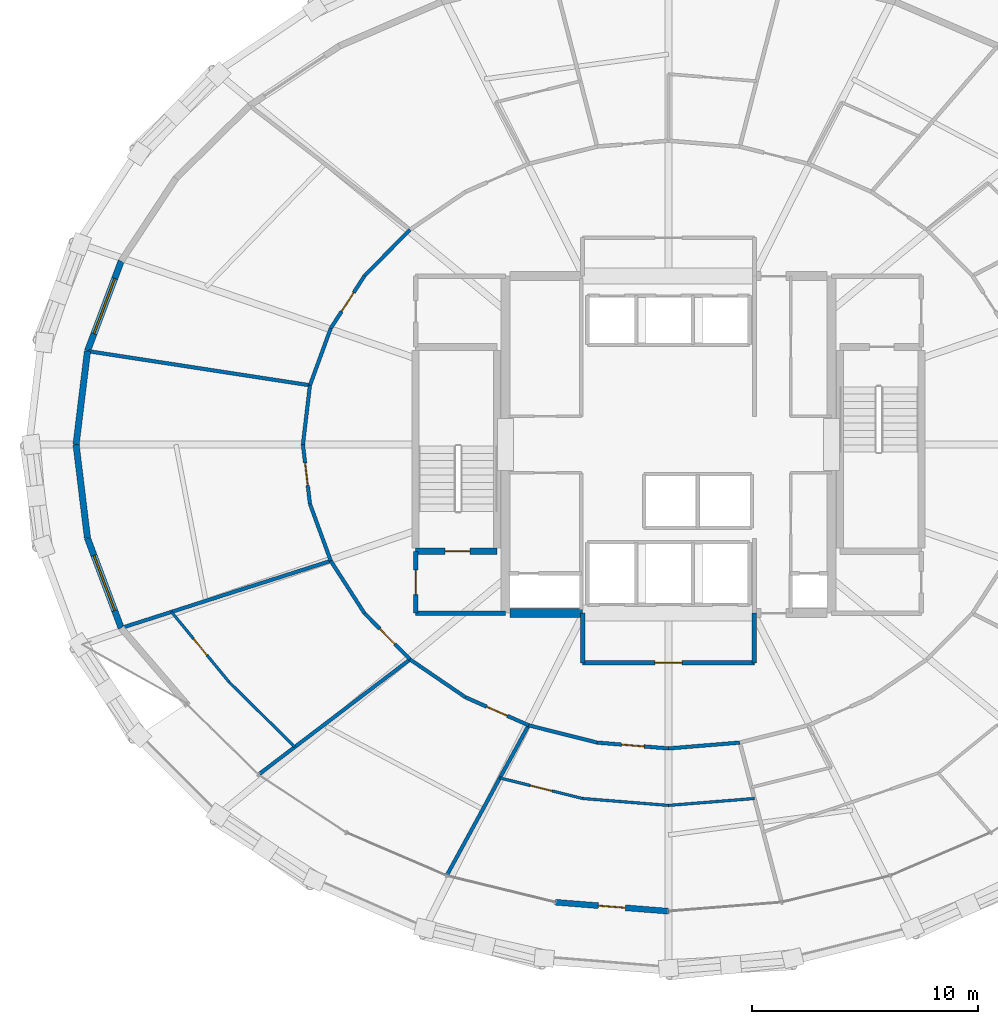
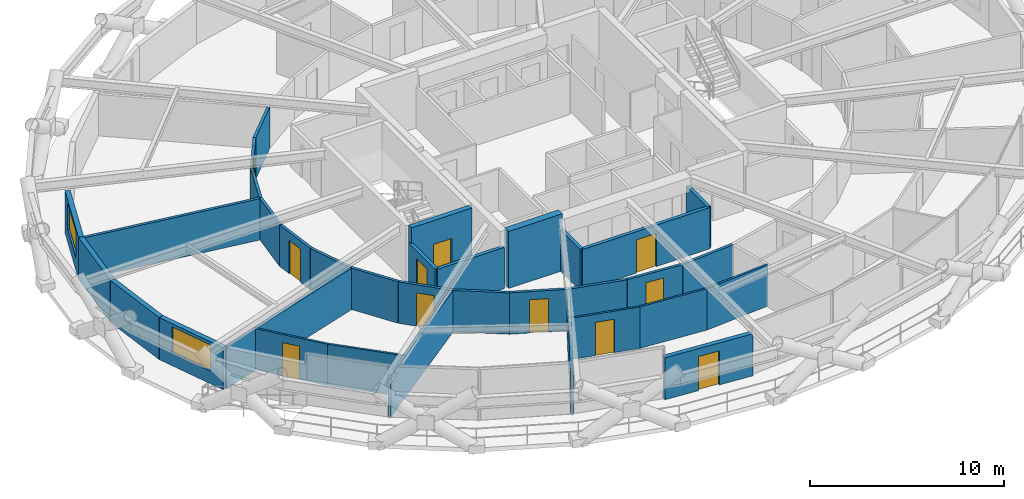
# One storey, part 13 of 19: 34 walls, 11 doors, 2 windows, 13 openings.
"""IFC4 building model written with IfcOpenShell, lengths in metres."""

import ifcopenshell
import ifcopenshell.guid

model = None  # the IFC model being written
_history = None  # IfcOwnerHistory: only IFC2X3 demands one
_inside = {}  # id of a spatial element -> (the spatial element, [elements in it])
_under = {}  # id of a project, library or spatial element -> (it, [spatial elements below it])
_declared = {}  # id of a project -> (the project, [libraries it declares])
_typed = {}  # id of a type object -> (the type object, [elements of that type])
_made_of = {}  # id of a material, layer set ... -> (it, [elements and type objects made of it])


def new_model(schema):
    """Start an empty IFC model of exactly this schema.

    Asked for "IFC4X3", IfcOpenShell would pick the latest addendum, in which some entities
    have other attributes; the version numbers below select the first issue.
    IFC2X3 requires an IfcOwnerHistory on every rooted entity: one is made here for all.
    """
    global model, _history
    if schema == "IFC4X3":
        model = ifcopenshell.file(schema_version=(4, 3, 0, 0))
    else:
        model = ifcopenshell.file(schema=schema)
    _inside.clear()
    _under.clear()
    _declared.clear()
    _typed.clear()
    _made_of.clear()
    _history = None
    if model.schema == "IFC2X3":
        org = make("IfcOrganization", Name="unknown")
        user = make(
            "IfcPersonAndOrganization",
            ThePerson=make("IfcPerson", FamilyName="unknown"),
            TheOrganization=org,
        )
        app = make(
            "IfcApplication",
            ApplicationDeveloper=org,
            Version="unknown",
            ApplicationFullName="unknown",
            ApplicationIdentifier="unknown",
        )
        _history = make(
            "IfcOwnerHistory",
            OwningUser=user,
            OwningApplication=app,
            ChangeAction="ADDED",
            CreationDate=0,
        )
    return model


def make(cls, **values):
    """One entity of the class cls with the attributes given. An attribute that is None is left unset."""
    return model.create_entity(
        cls, **{name: value for name, value in values.items() if value is not None}
    )


def rooted(cls, **values):
    """An entity with a GlobalId (a new one), such as an element, a storey or a relation."""
    return make(cls, GlobalId=ifcopenshell.guid.new(), OwnerHistory=_history, **values)


def si_unit(unit_type, name, prefix=None):
    """IfcSIUnit, for example si_unit("LENGTHUNIT", "METRE", prefix="MILLI")."""
    return make("IfcSIUnit", UnitType=unit_type, Prefix=prefix, Name=name)


def assignment(units):
    """IfcUnitAssignment: the units of a project."""
    return None if units is None else make("IfcUnitAssignment", Units=units)


def point(xyz):
    """IfcCartesianPoint."""
    return None if xyz is None else make("IfcCartesianPoint", Coordinates=xyz)


def direction(xyz):
    """IfcDirection."""
    return None if xyz is None else make("IfcDirection", DirectionRatios=xyz)


def frame(location, z_axis=None, x_axis=None):
    """IfcAxis2Placement3D, a coordinate frame: its origin and axes. An axis left out is left unset."""
    return make(
        "IfcAxis2Placement3D",
        Location=point(location),
        Axis=direction(z_axis),
        RefDirection=direction(x_axis),
    )


def frame_2d(location, x_axis=None):
    """IfcAxis2Placement2D, a coordinate frame in the plane: its origin and x axis."""
    return make(
        "IfcAxis2Placement2D", Location=point(location), RefDirection=direction(x_axis)
    )


def origin():
    """The frame at (0, 0, 0) with its axes left unset."""
    return frame((0.0, 0.0, 0.0))


def place(relative_to, where):
    """IfcLocalPlacement: puts the frame where relative to a parent placement (None: the world)."""
    return make(
        "IfcLocalPlacement", PlacementRelTo=relative_to, RelativePlacement=where
    )


def context(
    kind, dimensions, precision=None, world=None, true_north=None, identifier=None
):
    """IfcGeometricRepresentationContext, for example the 3D "Model" context."""
    return make(
        "IfcGeometricRepresentationContext",
        ContextIdentifier=identifier,
        ContextType=kind,
        CoordinateSpaceDimension=dimensions,
        Precision=precision,
        WorldCoordinateSystem=world,
        TrueNorth=true_north,
    )


def subcontext(parent, identifier, kind, view, scale=None):
    """IfcGeometricRepresentationSubContext, for example "Body" below "Model"."""
    return make(
        "IfcGeometricRepresentationSubContext",
        ContextIdentifier=identifier,
        ContextType=kind,
        ParentContext=parent,
        TargetScale=scale,
        TargetView=view,
    )


def project(units=None, contexts=None):
    """IfcProject with its units and contexts."""
    return rooted(
        "IfcProject",
        Name="project",
        RepresentationContexts=contexts,
        UnitsInContext=assignment(units),
    )


def spatial(cls, under=None, at=None, **own):
    """A site, building, storey or space (cls), placed at a placement, below another one or the project."""
    s = rooted(cls, ObjectPlacement=at, **own)
    if under is not None:
        _under.setdefault(under.id(), (under, []))[1].append(s)
    return s


def profile(cls, at=None, kind="AREA", **sizes):
    """A parametric profile (cls). Its sizes go by their IFC names, for example OverallWidth=200.0."""
    return make(cls, ProfileType=kind, Position=at, **sizes)


def rectangle(**sizes):
    """IfcRectangleProfileDef."""
    return profile("IfcRectangleProfileDef", **sizes)


def extrude(swept, where, along, depth):
    """IfcExtrudedAreaSolid: the profile swept, set in the frame where, extruded along a direction by depth."""
    return make(
        "IfcExtrudedAreaSolid",
        SweptArea=swept,
        Position=where,
        ExtrudedDirection=direction(along),
        Depth=depth,
    )


def shape(context_of_items, identifier, shape_type, items):
    """IfcShapeRepresentation: the items that make up one representation, for example the "Body"."""
    return make(
        "IfcShapeRepresentation",
        ContextOfItems=context_of_items,
        RepresentationIdentifier=identifier,
        RepresentationType=shape_type,
        Items=items,
    )


def material(Name=None, Category=None):
    """IfcMaterial."""
    return make("IfcMaterial", Name=Name, Category=Category)


def layer(
    of_material, thickness, ventilated=None, Name=None, Category=None, Priority=None
):
    """IfcMaterialLayer: one layer of a wall or slab, of a material (None: an air gap)."""
    return make(
        "IfcMaterialLayer",
        Material=of_material,
        LayerThickness=thickness,
        IsVentilated=ventilated,
        Name=Name,
        Category=Category,
        Priority=Priority,
    )


def layer_set(layers, Name=None):
    """IfcMaterialLayerSet."""
    return make("IfcMaterialLayerSet", MaterialLayers=layers, LayerSetName=Name)


def made_of(thing, what):
    """Note that an element or type object is made of a material, layer set ...; save() writes the relation."""
    if what is not None:
        _made_of.setdefault(what.id(), (what, []))[1].append(thing)
    return thing


def type_object(cls, material=None, **own):
    """A type object (cls), such as IfcWallType, which elements share."""
    return made_of(rooted(cls, **own), material)


def element(
    cls,
    number,
    at=None,
    inside=None,
    cuts=None,
    type_object=None,
    material=None,
    context=None,
    identifier="Body",
    shape_type=None,
    held_by="IfcProductDefinitionShape",
    body=None,
    shapes=None,
    **own,
):
    """One element of the class cls, such as IfcWall. Its Tag is "e" and its number.

    at: its placement. inside: the storey or other place that contains it. cuts: it is an
    opening in that element (IfcRelVoidsElement). A single representation is given by context,
    identifier, shape_type and body (its items); several are given by shapes. held_by: the class
    of the entity that holds the representations. save() writes the other relations.
    """
    e = rooted(cls, Tag="e%d" % number, ObjectPlacement=at, **own)
    if body is not None:
        shapes = [shape(context, identifier, shape_type, body)]
    if shapes is not None:
        e.Representation = make(held_by, Representations=shapes)
    if inside is not None:
        _inside.setdefault(inside.id(), (inside, []))[1].append(e)
    if cuts is not None:
        rooted(
            "IfcRelVoidsElement", RelatingBuildingElement=cuts, RelatedOpeningElement=e
        )
    if type_object is not None:
        _typed.setdefault(type_object.id(), (type_object, []))[1].append(e)
    return made_of(e, material)


def fill(opening, filler):
    """IfcRelFillsElement: the door or window that sits in an opening."""
    return rooted(
        "IfcRelFillsElement",
        RelatingOpeningElement=opening,
        RelatedBuildingElement=filler,
    )


def aggregate(whole, parts):
    """IfcRelAggregates: a whole, such as a stair, and the parts it consists of."""
    return rooted("IfcRelAggregates", RelatingObject=whole, RelatedObjects=parts)


def save(model, path):
    """Write the relations noted so far, then the file.

    IfcRelAggregates (storeys below a building ...), IfcRelContainedInSpatialStructure (elements
    in a storey), IfcRelDefinesByType, IfcRelAssociatesMaterial and IfcRelDeclares: one each for
    every whole, place, type object, material and project.
    """
    for whole, parts in _under.values():
        aggregate(whole, parts)
    for where, things in _inside.values():
        rooted(
            "IfcRelContainedInSpatialStructure",
            RelatedElements=things,
            RelatingStructure=where,
        )
    for kind, things in _typed.values():
        rooted("IfcRelDefinesByType", RelatedObjects=things, RelatingType=kind)
    for what, things in _made_of.values():
        rooted("IfcRelAssociatesMaterial", RelatedObjects=things, RelatingMaterial=what)
    for by, libraries in _declared.values():
        rooted("IfcRelDeclares", RelatingContext=by, RelatedDefinitions=libraries)
    model.write(path)


model = new_model("IFC4")

# Units and contexts
model_context = context("Model", 3, precision=1e-05, world=origin(), true_north=direction((0.0, 1.0)))
body_context = subcontext(model_context, "Body", "Model", "MODEL_VIEW")
ifc_project = project(units=[si_unit("LENGTHUNIT", "METRE"), si_unit("AREAUNIT", "SQUARE_METRE"), si_unit("VOLUMEUNIT", "CUBIC_METRE"), si_unit("PLANEANGLEUNIT", "RADIAN"), si_unit("MASSUNIT", "GRAM", prefix="KILO")], contexts=[model_context])

# Site, building, storey
site_placement = place(None, origin())
site = spatial("IfcSite", under=ifc_project, at=site_placement, CompositionType="ELEMENT")
building_placement = place(site_placement, origin())
building = spatial("IfcBuilding", under=site, at=building_placement, Name="Veldorina Hangang Commons", CompositionType="ELEMENT")
storey_placement = place(building_placement, frame((0.0, 0.0, 44.800048828125)))
storey = spatial("IfcBuildingStorey", under=building, at=storey_placement, Name="L10", CompositionType="ELEMENT", Elevation=44.800048828125)

# Wall
ifc_material_1 = material(Name="Concrete C70/85", Category="concrete")
ifc_layer_1 = layer(ifc_material_1, 0.39990234375)
ifc_layer_set_1 = layer_set([ifc_layer_1], Name="Concrete C70/85")
wall_type_1 = type_object("IfcWallType", Name="CW-RC400-C70", PredefinedType="SHEAR", material=ifc_layer_set_1)
wall_1_placement = place(storey_placement, frame((25.0, 16.550048828125, 0.0), z_axis=(0.0, 0.0, 1.0), x_axis=(1.0, 0.0, 0.0)))
element("IfcWall", 1, at=wall_1_placement, inside=storey, type_object=wall_type_1, Name="L10 south-west core shear wall", PredefinedType="SHEAR", context=body_context, shape_type="SweptSolid", body=[
    extrude(rectangle(XDim=3.199951171875, YDim=0.39990234375, at=frame_2d((1.60009765625, 0.0))), origin(), (0.0, 0.0, 1.0), 3.599853515625),
])

# Wall, opening, door
ifc_material_2 = material(Name="Stone Roman Travertine", Category="masonry")
ifc_layer_2 = layer(ifc_material_2, 0.260009765625)
ifc_layer_set_2 = layer_set([ifc_layer_2], Name="Stone Roman Travertine")
wall_type_2 = type_object("IfcWallType", Name="EW-LOGGIA-260", PredefinedType="STANDARD", material=ifc_layer_set_2)
wall_2_placement = place(storey_placement, frame((26.999755859375, 3.765625, 0.0), z_axis=(0.0, 0.0, 1.0), x_axis=(0.996871056752, -0.079044899964, 0.0)))
wall_2 = element("IfcWall", 2, at=wall_2_placement, inside=storey, type_object=wall_type_2, Name="L10 sky-garden loggia portal wall 23", PredefinedType="STANDARD", context=body_context, shape_type="SweptSolid", body=[
    extrude(rectangle(XDim=5.015869140625, YDim=0.260009765625, at=frame_2d((2.5078125, 0.0))), origin(), (0.0, 0.0, 1.0), 2.64990234375),
])
opening_1_placement = place(wall_2_placement, frame((1.907958984375, 0.0, 0.0)))
opening_1 = element("IfcOpeningElement", 3, at=opening_1_placement, cuts=wall_2, Name="Opening BD-1200", PredefinedType="OPENING", context=body_context, shape_type="SweptSolid", body=[
    extrude(rectangle(XDim=1.199951171875, YDim=2.14990234375, at=frame_2d((0.60009765625, 1.074951171875))), frame((0.0, 0.14013671875, 0.0), z_axis=(0.0, -1.0, 0.0), x_axis=(1.0, 0.0, 0.0)), (0.0, 0.0, 1.0), 0.280029296875),
])
ifc_material_3 = material(Name="Glass Thermal Aluminium Frame", Category="aluminium")
door_type_1 = type_object("IfcDoorType", Name="DR-EXT-LOG1200", OperationType="SINGLE_SWING_LEFT", PredefinedType="DOOR", material=ifc_material_3)
door_1_placement = place(opening_1_placement, origin())
door_1 = element("IfcDoor", 4, at=door_1_placement, inside=storey, type_object=door_type_1, Name="L10 loggia glazed exterior door 23", OperationType="SINGLE_SWING_RIGHT", OverallHeight=2.14990234375, OverallWidth=1.199951171875, PredefinedType="DOOR", context=body_context, shape_type="SweptSolid", body=[
    extrude(rectangle(XDim=1.199951171875, YDim=2.14990234375, at=frame_2d((0.60009765625, 1.074951171875))), frame((0.0, 0.02490234375, 0.0), z_axis=(0.0, -1.0, 0.0), x_axis=(1.0, 0.0, 0.0)), (0.0, 0.0, 1.0), 0.050048828125),
])
fill(opening_1, door_1)

# Wall, opening, window
ifc_layer_3 = layer(ifc_material_2, 0.280029296875)
ifc_layer_set_3 = layer_set([ifc_layer_3], Name="Stone Roman Travertine")
wall_type_3 = type_object("IfcWallType", Name="EW-TRAV-280", PredefinedType="STANDARD", material=ifc_layer_set_3)
wall_3_placement = place(storey_placement, frame((7.802978515625, 32.109375, 0.0), z_axis=(0.0, 0.0, 1.0), x_axis=(-0.351066723894, -0.936350444745, 0.0)))
wall_3 = element("IfcWall", 5, at=wall_3_placement, inside=storey, type_object=wall_type_3, Name="L10 travertine facade wall 14", PredefinedType="STANDARD", context=body_context, shape_type="SweptSolid", body=[
    extrude(rectangle(XDim=4.24560546875, YDim=0.280029296875, at=frame_2d((2.122802734375, 0.0))), origin(), (0.0, 0.0, 1.0), 2.64990234375),
])
opening_2_placement = place(wall_3_placement, frame((0.82275390625, 0.0, 0.800048828125)))
opening_2 = element("IfcOpeningElement", 6, at=opening_2_placement, cuts=wall_3, Name="Opening W-02", PredefinedType="OPENING", context=body_context, shape_type="SweptSolid", body=[
    extrude(rectangle(XDim=2.60009765625, YDim=1.64990234375, at=frame_2d((1.300048828125, 0.824951171875))), frame((0.0, 0.14990234375, 0.0), z_axis=(0.0, -1.0, 0.0), x_axis=(1.0, 0.0, 0.0)), (0.0, 0.0, 1.0), 0.300048828125),
])
ifc_material_4 = material(Name="Glass Low-E Triple IGU", Category="glass")
window_type = type_object("IfcWindowType", Name="WIN-TWR-2600", PartitioningType="SINGLE_PANEL", PredefinedType="WINDOW", material=ifc_material_4)
window_1_placement = place(opening_2_placement, origin())
window_1 = element("IfcWindow", 7, at=window_1_placement, inside=storey, type_object=window_type, Name="L10 facade window 14", OverallHeight=1.64990234375, OverallWidth=2.60009765625, PartitioningType="SINGLE_PANEL", PredefinedType="WINDOW", context=body_context, shape_type="SweptSolid", body=[
    extrude(rectangle(XDim=2.60009765625, YDim=1.64990234375, at=frame_2d((1.300048828125, 0.824951171875))), frame((0.0, 0.030029296875, 0.0), z_axis=(0.0, -1.0, 0.0), x_axis=(1.0, 0.0, 0.0)), (0.0, 0.0, 1.0), 0.06005859375),
])
fill(opening_2, window_1)

# Walls
for number, where, z_axis, x_axis, name in (
    (8, (6.3125, 28.134033203125, 0.0), (0.0, 0.0, 1.0), (-0.120881081027, -0.992666995648, 0.0), "L10 travertine facade wall 15"),
    (9, (5.80908203125, 24.0, 0.0), (0.0, 0.0, 1.0), (0.120881081027, -0.992666995648, 0.0), "L10 travertine facade wall 16"),
):
    element("IfcWall", number, at=place(storey_placement, frame(where, z_axis=z_axis, x_axis=x_axis)), inside=storey, type_object=wall_type_3, Name=name, PredefinedType="STANDARD", context=body_context, shape_type="SweptSolid", body=[
        extrude(rectangle(XDim=4.16455078125, YDim=0.280029296875, at=frame_2d((2.082275390625, 0.0))), origin(), (0.0, 0.0, 1.0), 2.64990234375),
    ])

# Wall, opening, window
wall_4_placement = place(storey_placement, frame((6.3125, 19.865966796875, 0.0), z_axis=(0.0, 0.0, 1.0), x_axis=(0.351066723894, -0.936350444745, 0.0)))
wall_4 = element("IfcWall", 10, at=wall_4_placement, inside=storey, type_object=wall_type_3, Name="L10 travertine facade wall 17", PredefinedType="STANDARD", context=body_context, shape_type="SweptSolid", body=[
    extrude(rectangle(XDim=4.24560546875, YDim=0.280029296875, at=frame_2d((2.122802734375, 0.0))), origin(), (0.0, 0.0, 1.0), 2.64990234375),
])
opening_3_placement = place(wall_4_placement, frame((0.82275390625, 0.0, 0.800048828125)))
opening_3 = element("IfcOpeningElement", 11, at=opening_3_placement, cuts=wall_4, Name="Opening W-02", PredefinedType="OPENING", context=body_context, shape_type="SweptSolid", body=[
    extrude(rectangle(XDim=2.60009765625, YDim=1.64990234375, at=frame_2d((1.300048828125, 0.824951171875))), frame((0.0, 0.14990234375, 0.0), z_axis=(0.0, -1.0, 0.0), x_axis=(1.0, 0.0, 0.0)), (0.0, 0.0, 1.0), 0.300048828125),
])
window_2_placement = place(opening_3_placement, origin())
window_2 = element("IfcWindow", 12, at=window_2_placement, inside=storey, type_object=window_type, Name="L10 facade window 17", OverallHeight=1.64990234375, OverallWidth=2.60009765625, PartitioningType="SINGLE_PANEL", PredefinedType="WINDOW", context=body_context, shape_type="SweptSolid", body=[
    extrude(rectangle(XDim=2.60009765625, YDim=1.64990234375, at=frame_2d((1.300048828125, 0.824951171875))), frame((0.0, 0.030029296875, 0.0), z_axis=(0.0, -1.0, 0.0), x_axis=(1.0, 0.0, 0.0)), (0.0, 0.0, 1.0), 0.06005859375),
])
fill(opening_3, window_2)

# Wall, opening, door
ifc_material_5 = material(Name="Concrete C50/60", Category="concrete")
ifc_layer_4 = layer(ifc_material_5, 0.300048828125)
ifc_layer_set_4 = layer_set([ifc_layer_4], Name="Concrete C50/60")
wall_type_4 = type_object("IfcWallType", Name="SW-STAIR-300", PredefinedType="SHEAR", material=ifc_layer_set_4)
wall_5_placement = place(storey_placement, frame((20.820068359375, 19.280029296875, 0.0), z_axis=(0.0, 0.0, 1.0), x_axis=(1.0, 0.0, 0.0)))
wall_5 = element("IfcWall", 13, at=wall_5_placement, inside=storey, type_object=wall_type_4, Name="L10 ST1 south stair shear wall", PredefinedType="SHEAR", context=body_context, shape_type="SweptSolid", body=[
    extrude(rectangle(XDim=3.599853515625, YDim=0.300048828125, at=frame_2d((1.7998046875, 0.0))), origin(), (0.0, 0.0, 1.0), 3.599853515625),
])
opening_4_placement = place(wall_5_placement, frame((1.300048828125, 0.0, 0.0)))
opening_4 = element("IfcOpeningElement", 14, at=opening_4_placement, cuts=wall_5, Name="Opening D-08", PredefinedType="OPENING", context=body_context, shape_type="SweptSolid", body=[
    extrude(rectangle(XDim=1.10009765625, YDim=2.10009765625, at=frame_2d((0.550048828125, 1.050048828125))), frame((0.0, 0.16015625, 0.0), z_axis=(0.0, -1.0, 0.0), x_axis=(1.0, 0.0, 0.0)), (0.0, 0.0, 1.0), 0.320068359375),
])
ifc_material_6 = material(Name="Steel Fire-Rated Smoke Seal", Category="steel")
door_type_2 = type_object("IfcDoorType", Name="DR-FIRE-1100", OperationType="SINGLE_SWING_RIGHT", PredefinedType="DOOR", material=ifc_material_6)
door_2_placement = place(opening_4_placement, origin())
door_2 = element("IfcDoor", 15, at=door_2_placement, inside=storey, type_object=door_type_2, Name="L10 Special Escape Stair ST-1 door", OperationType="SINGLE_SWING_LEFT", OverallHeight=2.10009765625, OverallWidth=1.10009765625, PredefinedType="DOOR", context=body_context, shape_type="SweptSolid", body=[
    extrude(rectangle(XDim=1.10009765625, YDim=2.10009765625, at=frame_2d((0.550048828125, 1.050048828125))), frame((0.0, 0.02490234375, 0.0), z_axis=(0.0, -1.0, 0.0), x_axis=(1.0, 0.0, 0.0)), (0.0, 0.0, 1.0), 0.050048828125),
])
fill(opening_4, door_2)

# Wall
ifc_material_7 = material(Name="Gypsum Fire-Rated Twin Stud Wall", Category="gypsum")
ifc_layer_5 = layer(ifc_material_7, 0.159912109375)
ifc_layer_set_5 = layer_set([ifc_layer_5], Name="Gypsum Fire-Rated Twin Stud Wall")
wall_type_5 = type_object("IfcWallType", Name="WL-FIRE-160", PredefinedType="SOLIDWALL", material=ifc_layer_set_5)
wall_6_placement = place(storey_placement, frame((20.57177734375, 33.499267578125, 0.0), z_axis=(0.0, 0.0, 1.0), x_axis=(-0.702569520063, -0.711615113301, 0.0)))
element("IfcWall", 16, at=wall_6_placement, inside=storey, type_object=wall_type_5, Name="L10 Corridor outer wall 12 057", PredefinedType="SOLIDWALL", context=body_context, shape_type="SweptSolid", body=[
    extrude(rectangle(XDim=2.86083984375, YDim=0.159912109375, at=frame_2d((1.430419921875, 0.0))), origin(), (0.0, 0.0, 1.0), 2.60986328125),
])

# Wall, opening, door
wall_7_placement = place(storey_placement, frame((18.561767578125, 31.46337890625, 0.0), z_axis=(0.0, 0.0, 1.0), x_axis=(-0.540891657444, -0.841092274907, 0.0)))
wall_7 = element("IfcWall", 17, at=wall_7_placement, inside=storey, type_object=wall_type_5, Name="L10 Corridor outer wall 13 058", PredefinedType="SOLIDWALL", context=body_context, shape_type="SweptSolid", body=[
    extrude(rectangle(XDim=2.760986328125, YDim=0.159912109375, at=frame_2d((1.38037109375, 0.0))), origin(), (0.0, 0.0, 1.0), 2.60986328125),
])
opening_5_placement = place(wall_7_placement, frame((0.880615234375, 0.0, 0.0)))
opening_5 = element("IfcOpeningElement", 18, at=opening_5_placement, cuts=wall_7, Name="Opening D-05", PredefinedType="OPENING", context=body_context, shape_type="SweptSolid", body=[
    extrude(rectangle(XDim=1.0, YDim=2.10009765625, at=frame_2d((0.5, 1.050048828125))), frame((0.0, 0.08984375, 0.0), z_axis=(0.0, -1.0, 0.0), x_axis=(1.0, 0.0, 0.0)), (0.0, 0.0, 1.0), 0.179931640625),
])
ifc_material_8 = material(Name="Timber Solid Core Acoustic", Category="wood")
door_type_3 = type_object("IfcDoorType", Name="DR-INT-1000", OperationType="SINGLE_SWING_RIGHT", PredefinedType="DOOR", material=ifc_material_8)
door_3_placement = place(opening_5_placement, origin())
door_3 = element("IfcDoor", 19, at=door_3_placement, inside=storey, type_object=door_type_3, Name="L10 Floor Study Room 10 door 039", OperationType="SINGLE_SWING_LEFT", OverallHeight=2.10009765625, OverallWidth=1.0, PredefinedType="DOOR", context=body_context, shape_type="SweptSolid", body=[
    extrude(rectangle(XDim=1.0, YDim=2.10009765625, at=frame_2d((0.5, 1.050048828125))), frame((0.0, 0.02490234375, 0.0), z_axis=(0.0, -1.0, 0.0), x_axis=(1.0, 0.0, 0.0)), (0.0, 0.0, 1.0), 0.050048828125),
])
fill(opening_5, door_3)

# Walls
wall_8_placement = place(storey_placement, frame((17.068359375, 29.14111328125, 0.0), z_axis=(0.0, 0.0, 1.0), x_axis=(-0.342882618672, -0.939378257047, 0.0)))
element("IfcWall", 20, at=wall_8_placement, inside=storey, type_object=wall_type_5, Name="L10 Corridor outer wall 14 059", PredefinedType="SOLIDWALL", context=body_context, shape_type="SweptSolid", body=[
    extrude(rectangle(XDim=2.682861328125, YDim=0.159912109375, at=frame_2d((1.34130859375, 0.0))), origin(), (0.0, 0.0, 1.0), 2.60986328125),
])
wall_9_placement = place(storey_placement, frame((16.1484375, 26.620849609375, 0.0), z_axis=(0.0, 0.0, 1.0), x_axis=(-0.117667763342, -0.993053018459, 0.0)))
element("IfcWall", 21, at=wall_9_placement, inside=storey, type_object=wall_type_5, Name="L10 Corridor outer wall 15 060", PredefinedType="SOLIDWALL", context=body_context, shape_type="SweptSolid", body=[
    extrude(rectangle(XDim=2.63916015625, YDim=0.159912109375, at=frame_2d((1.319580078125, 0.0))), origin(), (0.0, 0.0, 1.0), 2.60986328125),
])

# Wall, opening, door
wall_10_placement = place(storey_placement, frame((15.837890625, 24.0, 0.0), z_axis=(0.0, 0.0, 1.0), x_axis=(0.117667763342, -0.993053018459, 0.0)))
wall_10 = element("IfcWall", 22, at=wall_10_placement, inside=storey, type_object=wall_type_5, Name="L10 Corridor outer wall 16 061", PredefinedType="SOLIDWALL", context=body_context, shape_type="SweptSolid", body=[
    extrude(rectangle(XDim=2.63916015625, YDim=0.159912109375, at=frame_2d((1.319580078125, 0.0))), origin(), (0.0, 0.0, 1.0), 2.60986328125),
])
opening_6_placement = place(wall_10_placement, frame((0.819580078125, 0.0, 0.0)))
opening_6 = element("IfcOpeningElement", 23, at=opening_6_placement, cuts=wall_10, Name="Opening D-05", PredefinedType="OPENING", context=body_context, shape_type="SweptSolid", body=[
    extrude(rectangle(XDim=1.0, YDim=2.10009765625, at=frame_2d((0.5, 1.050048828125))), frame((0.0, 0.08984375, 0.0), z_axis=(0.0, -1.0, 0.0), x_axis=(1.0, 0.0, 0.0)), (0.0, 0.0, 1.0), 0.179931640625),
])
door_4_placement = place(opening_6_placement, origin())
door_4 = element("IfcDoor", 24, at=door_4_placement, inside=storey, type_object=door_type_3, Name="L10 Floor Study Room 11 door 040", OperationType="SINGLE_SWING_RIGHT", OverallHeight=2.10009765625, OverallWidth=1.0, PredefinedType="DOOR", context=body_context, shape_type="SweptSolid", body=[
    extrude(rectangle(XDim=1.0, YDim=2.10009765625, at=frame_2d((0.5, 1.050048828125))), frame((0.0, 0.02490234375, 0.0), z_axis=(0.0, -1.0, 0.0), x_axis=(1.0, 0.0, 0.0)), (0.0, 0.0, 1.0), 0.050048828125),
])
fill(opening_6, door_4)

# Walls
wall_11_placement = place(storey_placement, frame((16.1484375, 21.379150390625, 0.0), z_axis=(0.0, 0.0, 1.0), x_axis=(0.342882618672, -0.939378257047, 0.0)))
element("IfcWall", 25, at=wall_11_placement, inside=storey, type_object=wall_type_5, Name="L10 Corridor outer wall 17 062", PredefinedType="SOLIDWALL", context=body_context, shape_type="SweptSolid", body=[
    extrude(rectangle(XDim=2.682861328125, YDim=0.159912109375, at=frame_2d((1.34130859375, 0.0))), origin(), (0.0, 0.0, 1.0), 2.60986328125),
])
wall_12_placement = place(storey_placement, frame((17.068359375, 18.85888671875, 0.0), z_axis=(0.0, 0.0, 1.0), x_axis=(0.540891657444, -0.841092274907, 0.0)))
element("IfcWall", 26, at=wall_12_placement, inside=storey, type_object=wall_type_5, Name="L10 Corridor outer wall 18 063", PredefinedType="SOLIDWALL", context=body_context, shape_type="SweptSolid", body=[
    extrude(rectangle(XDim=2.760986328125, YDim=0.159912109375, at=frame_2d((1.38037109375, 0.0))), origin(), (0.0, 0.0, 1.0), 2.60986328125),
])

# Wall, opening, door
wall_13_placement = place(storey_placement, frame((18.561767578125, 16.53662109375, 0.0), z_axis=(0.0, 0.0, 1.0), x_axis=(0.702569520063, -0.711615113301, 0.0)))
wall_13 = element("IfcWall", 27, at=wall_13_placement, inside=storey, type_object=wall_type_5, Name="L10 Corridor outer wall 19 064", PredefinedType="SOLIDWALL", context=body_context, shape_type="SweptSolid", body=[
    extrude(rectangle(XDim=2.86083984375, YDim=0.159912109375, at=frame_2d((1.430419921875, 0.0))), origin(), (0.0, 0.0, 1.0), 2.60986328125),
])
opening_7_placement = place(wall_13_placement, frame((0.955322265625, 0.0, 0.0)))
opening_7 = element("IfcOpeningElement", 28, at=opening_7_placement, cuts=wall_13, Name="Opening D-02", PredefinedType="OPENING", context=body_context, shape_type="SweptSolid", body=[
    extrude(rectangle(XDim=0.949951171875, YDim=2.10009765625, at=frame_2d((0.47509765625, 1.050048828125))), frame((0.0, 0.08984375, 0.0), z_axis=(0.0, -1.0, 0.0), x_axis=(1.0, 0.0, 0.0)), (0.0, 0.0, 1.0), 0.179931640625),
])
door_type_4 = type_object("IfcDoorType", Name="DR-INT-950", OperationType="SINGLE_SWING_LEFT", PredefinedType="DOOR", material=ifc_material_8)
door_5_placement = place(opening_7_placement, origin())
door_5 = element("IfcDoor", 29, at=door_5_placement, inside=storey, type_object=door_type_4, Name="L10 Linen drying store door 041", OperationType="SINGLE_SWING_LEFT", OverallHeight=2.10009765625, OverallWidth=0.949951171875, PredefinedType="DOOR", context=body_context, shape_type="SweptSolid", body=[
    extrude(rectangle(XDim=0.949951171875, YDim=2.10009765625, at=frame_2d((0.47509765625, 1.050048828125))), frame((0.0, 0.02490234375, 0.0), z_axis=(0.0, -1.0, 0.0), x_axis=(1.0, 0.0, 0.0)), (0.0, 0.0, 1.0), 0.050048828125),
])
fill(opening_7, door_5)

# Wall
wall_14_placement = place(storey_placement, frame((20.57177734375, 14.500732421875, 0.0), z_axis=(0.0, 0.0, 1.0), x_axis=(0.826112340767, -0.563505457323, 0.0)))
element("IfcWall", 30, at=wall_14_placement, inside=storey, type_object=wall_type_5, Name="L10 Corridor outer wall 20 065", PredefinedType="SOLIDWALL", context=body_context, shape_type="SweptSolid", body=[
    extrude(rectangle(XDim=2.96484375, YDim=0.159912109375, at=frame_2d((1.482421875, 0.0))), origin(), (0.0, 0.0, 1.0), 2.60986328125),
])

# Wall, opening, door
wall_15_placement = place(storey_placement, frame((23.02099609375, 12.830078125, 0.0), z_axis=(0.0, 0.0, 1.0), x_axis=(0.913860932409, -0.406027334321, 0.0)))
wall_15 = element("IfcWall", 31, at=wall_15_placement, inside=storey, type_object=wall_type_5, Name="L10 Corridor outer wall 21 066", PredefinedType="SOLIDWALL", context=body_context, shape_type="SweptSolid", body=[
    extrude(rectangle(XDim=3.0576171875, YDim=0.159912109375, at=frame_2d((1.52880859375, 0.0))), origin(), (0.0, 0.0, 1.0), 2.60986328125),
])
opening_8_placement = place(wall_15_placement, frame((1.02880859375, 0.0, 0.0)))
opening_8 = element("IfcOpeningElement", 32, at=opening_8_placement, cuts=wall_15, Name="Opening D-05", PredefinedType="OPENING", context=body_context, shape_type="SweptSolid", body=[
    extrude(rectangle(XDim=1.0, YDim=2.10009765625, at=frame_2d((0.5, 1.050048828125))), frame((0.0, 0.08984375, 0.0), z_axis=(0.0, -1.0, 0.0), x_axis=(1.0, 0.0, 0.0)), (0.0, 0.0, 1.0), 0.179931640625),
])
door_6_placement = place(opening_8_placement, origin())
door_6 = element("IfcDoor", 33, at=door_6_placement, inside=storey, type_object=door_type_3, Name="L10 Seminar Focus Room 13 door 043", OperationType="SINGLE_SWING_LEFT", OverallHeight=2.10009765625, OverallWidth=1.0, PredefinedType="DOOR", context=body_context, shape_type="SweptSolid", body=[
    extrude(rectangle(XDim=1.0, YDim=2.10009765625, at=frame_2d((0.5, 1.050048828125))), frame((0.0, 0.02490234375, 0.0), z_axis=(0.0, -1.0, 0.0), x_axis=(1.0, 0.0, 0.0)), (0.0, 0.0, 1.0), 0.050048828125),
])
fill(opening_8, door_6)

# Wall
wall_16_placement = place(storey_placement, frame((25.815185546875, 11.588623046875, 0.0), z_axis=(0.0, 0.0, 1.0), x_axis=(0.969653665365, -0.244482656326, 0.0)))
element("IfcWall", 34, at=wall_16_placement, inside=storey, type_object=wall_type_5, Name="L10 Corridor outer wall 22 067", PredefinedType="SOLIDWALL", context=body_context, shape_type="SweptSolid", body=[
    extrude(rectangle(XDim=3.126708984375, YDim=0.159912109375, at=frame_2d((1.5634765625, 0.0))), origin(), (0.0, 0.0, 1.0), 2.60986328125),
])

# Wall, opening, door
wall_17_placement = place(storey_placement, frame((28.846923828125, 10.82421875, 0.0), z_axis=(0.0, 0.0, 1.0), x_axis=(0.996661331307, -0.081646743207, 0.0)))
wall_17 = element("IfcWall", 35, at=wall_17_placement, inside=storey, type_object=wall_type_5, Name="L10 Corridor outer wall 23 068", PredefinedType="SOLIDWALL", context=body_context, shape_type="SweptSolid", body=[
    extrude(rectangle(XDim=3.16357421875, YDim=0.159912109375, at=frame_2d((1.581787109375, 0.0))), origin(), (0.0, 0.0, 1.0), 2.60986328125),
])
opening_9_placement = place(wall_17_placement, frame((1.081787109375, 0.0, 0.0)))
opening_9 = element("IfcOpeningElement", 36, at=opening_9_placement, cuts=wall_17, Name="Opening D-05", PredefinedType="OPENING", context=body_context, shape_type="SweptSolid", body=[
    extrude(rectangle(XDim=1.0, YDim=2.10009765625, at=frame_2d((0.5, 1.050048828125))), frame((0.0, 0.08984375, 0.0), z_axis=(0.0, -1.0, 0.0), x_axis=(1.0, 0.0, 0.0)), (0.0, 0.0, 1.0), 0.179931640625),
])
door_7_placement = place(opening_9_placement, origin())
door_7 = element("IfcDoor", 37, at=door_7_placement, inside=storey, type_object=door_type_3, Name="L10 Commons alcove door 019", OperationType="SINGLE_SWING_LEFT", OverallHeight=2.10009765625, OverallWidth=1.0, PredefinedType="DOOR", context=body_context, shape_type="SweptSolid", body=[
    extrude(rectangle(XDim=1.0, YDim=2.10009765625, at=frame_2d((0.5, 1.050048828125))), frame((0.0, 0.02490234375, 0.0), z_axis=(0.0, -1.0, 0.0), x_axis=(1.0, 0.0, 0.0)), (0.0, 0.0, 1.0), 0.050048828125),
])
fill(opening_9, door_7)

# Walls
wall_18_placement = place(storey_placement, frame((32.0, 10.56591796875, 0.0), z_axis=(0.0, 0.0, 1.0), x_axis=(0.996661331307, 0.081646743207, 0.0)))
element("IfcWall", 38, at=wall_18_placement, inside=storey, type_object=wall_type_5, Name="L10 Corridor outer wall 24 069", PredefinedType="SOLIDWALL", context=body_context, shape_type="SweptSolid", body=[
    extrude(rectangle(XDim=3.16357421875, YDim=0.159912109375, at=frame_2d((1.581787109375, 0.0))), origin(), (0.0, 0.0, 1.0), 2.60986328125),
])
wall_19_placement = place(storey_placement, frame((25.815185546875, 11.588623046875, 0.0), z_axis=(0.0, 0.0, 1.0), x_axis=(-0.478545125054, -0.87806296089, 0.0)))
element("IfcWall", 39, at=wall_19_placement, inside=storey, type_object=wall_type_5, Name="L10 Unit party wall 22 077", PredefinedType="SOLIDWALL", context=body_context, shape_type="SweptSolid", body=[
    extrude(rectangle(XDim=7.5224609375, YDim=0.159912109375, at=frame_2d((3.76123046875, 0.0))), origin(), (0.0, 0.0, 1.0), 2.60986328125),
])
wall_20_placement = place(storey_placement, frame((16.1484375, 26.620849609375, 0.0), z_axis=(0.0, 0.0, 1.0), x_axis=(-0.988371982693, 0.152055331469, 0.0)))
element("IfcWall", 40, at=wall_20_placement, inside=storey, type_object=wall_type_5, Name="L10 Unit party wall 15 109", PredefinedType="SOLIDWALL", context=body_context, shape_type="SweptSolid", body=[
    extrude(rectangle(XDim=9.90185546875, YDim=0.159912109375, at=frame_2d((4.950927734375, 0.0))), origin(), (0.0, 0.0, 1.0), 2.60986328125),
])
wall_21_placement = place(storey_placement, frame((17.068359375, 18.85888671875, 0.0), z_axis=(0.0, 0.0, 1.0), x_axis=(-0.952328332438, -0.30507498625, 0.0)))
element("IfcWall", 41, at=wall_21_placement, inside=storey, type_object=wall_type_5, Name="L10 Unit party wall 18 110", PredefinedType="SOLIDWALL", context=body_context, shape_type="SweptSolid", body=[
    extrude(rectangle(XDim=9.67919921875, YDim=0.159912109375, at=frame_2d((4.839599609375, 0.0))), origin(), (0.0, 0.0, 1.0), 2.60986328125),
])
wall_22_placement = place(storey_placement, frame((20.57177734375, 14.500732421875, 0.0), z_axis=(0.0, 0.0, 1.0), x_axis=(-0.796149813506, -0.605099557473, 0.0)))
element("IfcWall", 42, at=wall_22_placement, inside=storey, type_object=wall_type_5, Name="L10 Unit party wall 20 113", PredefinedType="SOLIDWALL", context=body_context, shape_type="SweptSolid", body=[
    extrude(rectangle(XDim=8.35986328125, YDim=0.159912109375, at=frame_2d((4.179931640625, 0.0))), origin(), (0.0, 0.0, 1.0), 2.60986328125),
])

# Wall, opening, door
ifc_material_9 = material(Name="Concrete Blockwork Fire Wall C30/37", Category="masonry")
ifc_layer_6 = layer(ifc_material_9, 0.199951171875)
ifc_layer_set_6 = layer_set([ifc_layer_6], Name="Concrete Blockwork Fire Wall C30/37")
wall_type_6 = type_object("IfcWallType", Name="WL-FIRE-200", PredefinedType="SOLIDWALL", material=ifc_layer_set_6)
wall_23_placement = place(storey_placement, frame((20.820068359375, 16.550048828125, 0.0), z_axis=(0.0, 0.0, 1.0), x_axis=(0.0, 1.0, 0.0)))
wall_23 = element("IfcWall", 43, at=wall_23_placement, inside=storey, type_object=wall_type_6, Name="L10 West vestibule outer wall 001", PredefinedType="SOLIDWALL", context=body_context, shape_type="SweptSolid", body=[
    extrude(rectangle(XDim=2.72998046875, YDim=0.199951171875, at=frame_2d((1.364990234375, 0.0))), origin(), (0.0, 0.0, 1.0), 2.60986328125),
])
opening_10_placement = place(wall_23_placement, frame((0.81494140625, 0.0, 0.0)))
opening_10 = element("IfcOpeningElement", 44, at=opening_10_placement, cuts=wall_23, Name="Opening D-08", PredefinedType="OPENING", context=body_context, shape_type="SweptSolid", body=[
    extrude(rectangle(XDim=1.10009765625, YDim=2.10009765625, at=frame_2d((0.550048828125, 1.050048828125))), frame((0.0, 0.10986328125, 0.0), z_axis=(0.0, -1.0, 0.0), x_axis=(1.0, 0.0, 0.0)), (0.0, 0.0, 1.0), 0.219970703125),
])
door_8_placement = place(opening_10_placement, origin())
door_8 = element("IfcDoor", 45, at=door_8_placement, inside=storey, type_object=door_type_2, Name="L10 West vestibule west door 001", OperationType="SINGLE_SWING_LEFT", OverallHeight=2.10009765625, OverallWidth=1.10009765625, PredefinedType="DOOR", context=body_context, shape_type="SweptSolid", body=[
    extrude(rectangle(XDim=1.10009765625, YDim=2.10009765625, at=frame_2d((0.550048828125, 1.050048828125))), frame((0.0, 0.02490234375, 0.0), z_axis=(0.0, -1.0, 0.0), x_axis=(1.0, 0.0, 0.0)), (0.0, 0.0, 1.0), 0.050048828125),
])
fill(opening_10, door_8)

# Walls
wall_24_placement = place(storey_placement, frame((20.820068359375, 16.550048828125, 0.0), z_axis=(0.0, 0.0, 1.0), x_axis=(1.0, 0.0, 0.0)))
element("IfcWall", 46, at=wall_24_placement, inside=storey, type_object=wall_type_6, Name="L10 West vestibule south wall 002", PredefinedType="SOLIDWALL", context=body_context, shape_type="SweptSolid", body=[
    extrude(rectangle(XDim=3.97998046875, YDim=0.199951171875, at=frame_2d((1.989990234375, 0.0))), origin(), (0.0, 0.0, 1.0), 2.60986328125),
])
for number, where, z_axis, x_axis, name in (
    (47, (28.199951171875, 14.35009765625, 0.0), (0.0, 0.0, 1.0), (0.0, 1.0, 0.0), "L10 FF lobby west wall 012"),
    (48, (35.800048828125, 14.35009765625, 0.0), (0.0, 0.0, 1.0), (0.0, 1.0, 0.0), "L10 FF lobby east wall 013"),
):
    element("IfcWall", number, at=place(storey_placement, frame(where, z_axis=z_axis, x_axis=x_axis)), inside=storey, type_object=wall_type_6, Name=name, PredefinedType="SOLIDWALL", context=body_context, shape_type="SweptSolid", body=[
        extrude(rectangle(XDim=2.199951171875, YDim=0.199951171875, at=frame_2d((1.10009765625, 0.0))), origin(), (0.0, 0.0, 1.0), 2.60986328125),
    ])

# Wall, opening, door
wall_25_placement = place(storey_placement, frame((28.199951171875, 14.35009765625, 0.0), z_axis=(0.0, 0.0, 1.0), x_axis=(1.0, 0.0, 0.0)))
wall_25 = element("IfcWall", 49, at=wall_25_placement, inside=storey, type_object=wall_type_6, Name="L10 FF lobby south wall 014", PredefinedType="SOLIDWALL", context=body_context, shape_type="SweptSolid", body=[
    extrude(rectangle(XDim=7.60009765625, YDim=0.199951171875, at=frame_2d((3.800048828125, 0.0))), origin(), (0.0, 0.0, 1.0), 2.60986328125),
])
opening_11_placement = place(wall_25_placement, frame((3.199951171875, 0.0, 0.0)))
opening_11 = element("IfcOpeningElement", 50, at=opening_11_placement, cuts=wall_25, Name="Opening D-09", PredefinedType="OPENING", context=body_context, shape_type="SweptSolid", body=[
    extrude(rectangle(XDim=1.199951171875, YDim=2.10009765625, at=frame_2d((0.60009765625, 1.050048828125))), frame((0.0, 0.10986328125, 0.0), z_axis=(0.0, -1.0, 0.0), x_axis=(1.0, 0.0, 0.0)), (0.0, 0.0, 1.0), 0.219970703125),
])
ifc_material_10 = material(Name="Steel Fire-Rated Corridor Door", Category="steel")
door_type_5 = type_object("IfcDoorType", Name="DR-FIRE-1200", OperationType="SINGLE_SWING_LEFT", PredefinedType="DOOR", material=ifc_material_10)
door_9_placement = place(opening_11_placement, origin())
door_9 = element("IfcDoor", 51, at=door_9_placement, inside=storey, type_object=door_type_5, Name="L10 FF lobby south corridor door 005", OperationType="SINGLE_SWING_LEFT", OverallHeight=2.10009765625, OverallWidth=1.199951171875, PredefinedType="DOOR", context=body_context, shape_type="SweptSolid", body=[
    extrude(rectangle(XDim=1.199951171875, YDim=2.10009765625, at=frame_2d((0.60009765625, 1.050048828125))), frame((0.0, 0.02490234375, 0.0), z_axis=(0.0, -1.0, 0.0), x_axis=(1.0, 0.0, 0.0)), (0.0, 0.0, 1.0), 0.050048828125),
])
fill(opening_11, door_9)

ifc_material_11 = material(Name="Gypsum Acoustic Stud Partition", Category="gypsum")
ifc_layer_7 = layer(ifc_material_11, 0.1201171875)
ifc_layer_set_7 = layer_set([ifc_layer_7], Name="Gypsum Acoustic Stud Partition")
wall_type_7 = type_object("IfcWallType", Name="WL-PART-120", PredefinedType="PARTITIONING", material=ifc_layer_set_7)
wall_26_placement = place(storey_placement, frame((24.546875, 9.261474609375, 0.0), z_axis=(0.0, 0.0, 1.0), x_axis=(0.97048105874, -0.241177350983, 0.0)))
wall_26 = element("IfcWall", 52, at=wall_26_placement, inside=storey, type_object=wall_type_7, Name="L10 Lounge alcove split 0 078", PredefinedType="PARTITIONING", context=body_context, shape_type="SweptSolid", body=[
    extrude(rectangle(XDim=3.7646484375, YDim=0.1201171875, at=frame_2d((1.88232421875, 0.0))), origin(), (0.0, 0.0, 1.0), 2.60986328125),
])
opening_12_placement = place(wall_26_placement, frame((1.38232421875, 0.0, 0.0)))
opening_12 = element("IfcOpeningElement", 53, at=opening_12_placement, cuts=wall_26, Name="Opening D-05", PredefinedType="OPENING", context=body_context, shape_type="SweptSolid", body=[
    extrude(rectangle(XDim=1.0, YDim=2.10009765625, at=frame_2d((0.5, 1.050048828125))), frame((0.0, 0.070068359375, 0.0), z_axis=(0.0, -1.0, 0.0), x_axis=(1.0, 0.0, 0.0)), (0.0, 0.0, 1.0), 0.14013671875),
])
door_10_placement = place(opening_12_placement, origin())
door_10 = element("IfcDoor", 54, at=door_10_placement, inside=storey, type_object=door_type_3, Name="L10 Commons lounge door 020", OperationType="SINGLE_SWING_RIGHT", OverallHeight=2.10009765625, OverallWidth=1.0, PredefinedType="DOOR", context=body_context, shape_type="SweptSolid", body=[
    extrude(rectangle(XDim=1.0, YDim=2.10009765625, at=frame_2d((0.5, 1.050048828125))), frame((0.0, 0.02490234375, 0.0), z_axis=(0.0, -1.0, 0.0), x_axis=(1.0, 0.0, 0.0)), (0.0, 0.0, 1.0), 0.050048828125),
])
fill(opening_12, door_10)

# Walls
for number, where, z_axis, x_axis, name in (
    (55, (28.200439453125, 8.353515625, 0.0), (0.0, 0.0, 1.0), (0.996764368846, -0.080379058209, 0.0), "L10 Lounge alcove split 1 079"),
    (56, (32.0, 8.047119140625, 0.0), (0.0, 0.0, 1.0), (0.996764368846, 0.080379058209, 0.0), "L10 Lounge alcove split 2 080"),
):
    element("IfcWall", number, at=place(storey_placement, frame(where, z_axis=z_axis, x_axis=x_axis)), inside=storey, type_object=wall_type_7, Name=name, PredefinedType="PARTITIONING", context=body_context, shape_type="SweptSolid", body=[
        extrude(rectangle(XDim=3.81201171875, YDim=0.1201171875, at=frame_2d((1.906005859375, 0.0))), origin(), (0.0, 0.0, 1.0), 2.60986328125),
    ])

# Wall, opening, door
wall_27_placement = place(storey_placement, frame((10.02490234375, 16.602294921875, 0.0), z_axis=(0.0, 0.0, 1.0), x_axis=(0.634900022164, -0.772594306125, 0.0)))
wall_27 = element("IfcWall", 57, at=wall_27_placement, inside=storey, type_object=wall_type_7, Name="L10 Laundry split 0 111", PredefinedType="PARTITIONING", context=body_context, shape_type="SweptSolid", body=[
    extrude(rectangle(XDim=4.01953125, YDim=0.1201171875, at=frame_2d((2.009765625, 0.0))), origin(), (0.0, 0.0, 1.0), 2.60986328125),
])
opening_13_placement = place(wall_27_placement, frame((1.534912109375, 0.0, 0.0)))
opening_13 = element("IfcOpeningElement", 58, at=opening_13_placement, cuts=wall_27, Name="Opening D-02", PredefinedType="OPENING", context=body_context, shape_type="SweptSolid", body=[
    extrude(rectangle(XDim=0.949951171875, YDim=2.10009765625, at=frame_2d((0.47509765625, 1.050048828125))), frame((0.0, 0.070068359375, 0.0), z_axis=(0.0, -1.0, 0.0), x_axis=(1.0, 0.0, 0.0)), (0.0, 0.0, 1.0), 0.14013671875),
])
door_11_placement = place(opening_13_placement, origin())
door_11 = element("IfcDoor", 59, at=door_11_placement, inside=storey, type_object=door_type_4, Name="L10 Resident laundry inner door 042", OperationType="SINGLE_SWING_RIGHT", OverallHeight=2.10009765625, OverallWidth=0.949951171875, PredefinedType="DOOR", context=body_context, shape_type="SweptSolid", body=[
    extrude(rectangle(XDim=0.949951171875, YDim=2.10009765625, at=frame_2d((0.47509765625, 1.050048828125))), frame((0.0, 0.02490234375, 0.0), z_axis=(0.0, -1.0, 0.0), x_axis=(1.0, 0.0, 0.0)), (0.0, 0.0, 1.0), 0.050048828125),
])
fill(opening_13, door_11)

# Wall
wall_28_placement = place(storey_placement, frame((12.576904296875, 13.496826171875, 0.0), z_axis=(0.0, 0.0, 1.0), x_axis=(0.712026279346, -0.702152816359, 0.0)))
element("IfcWall", 60, at=wall_28_placement, inside=storey, type_object=wall_type_7, Name="L10 Laundry split 1 112", PredefinedType="PARTITIONING", context=body_context, shape_type="SweptSolid", body=[
    extrude(rectangle(XDim=4.079833984375, YDim=0.1201171875, at=frame_2d((2.0400390625, 0.0))), origin(), (0.0, 0.0, 1.0), 2.60986328125),
])

save(model, "model.ifc")
